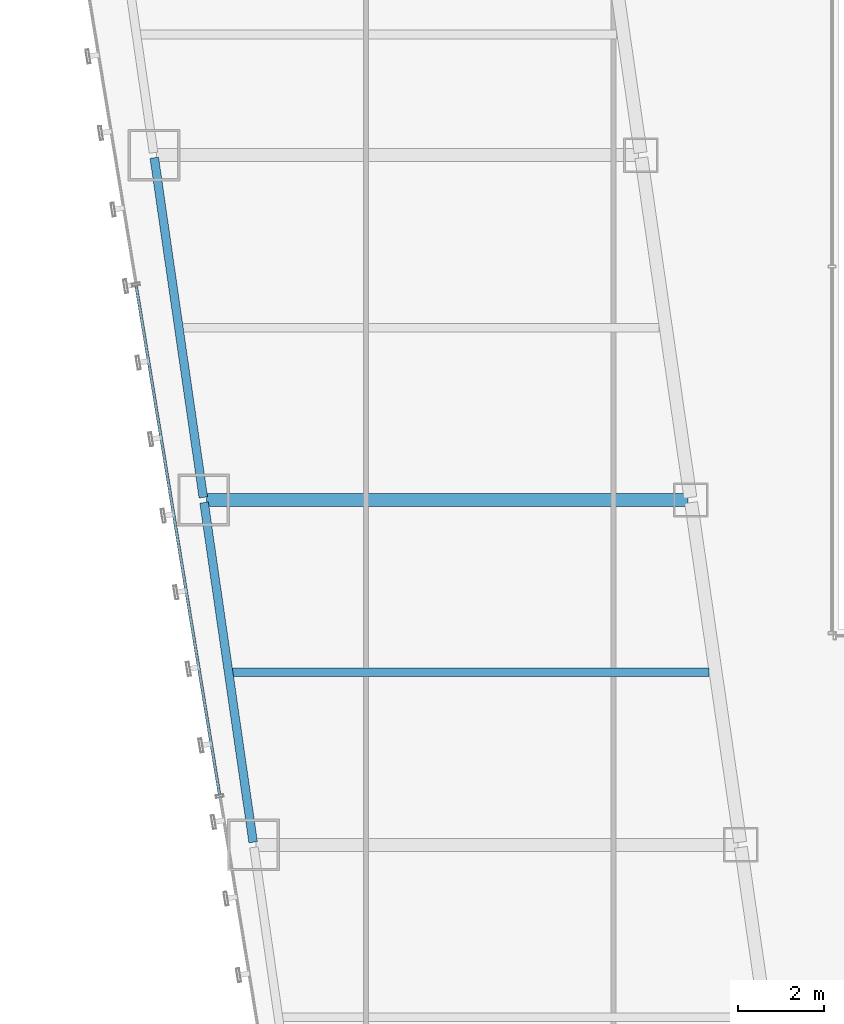
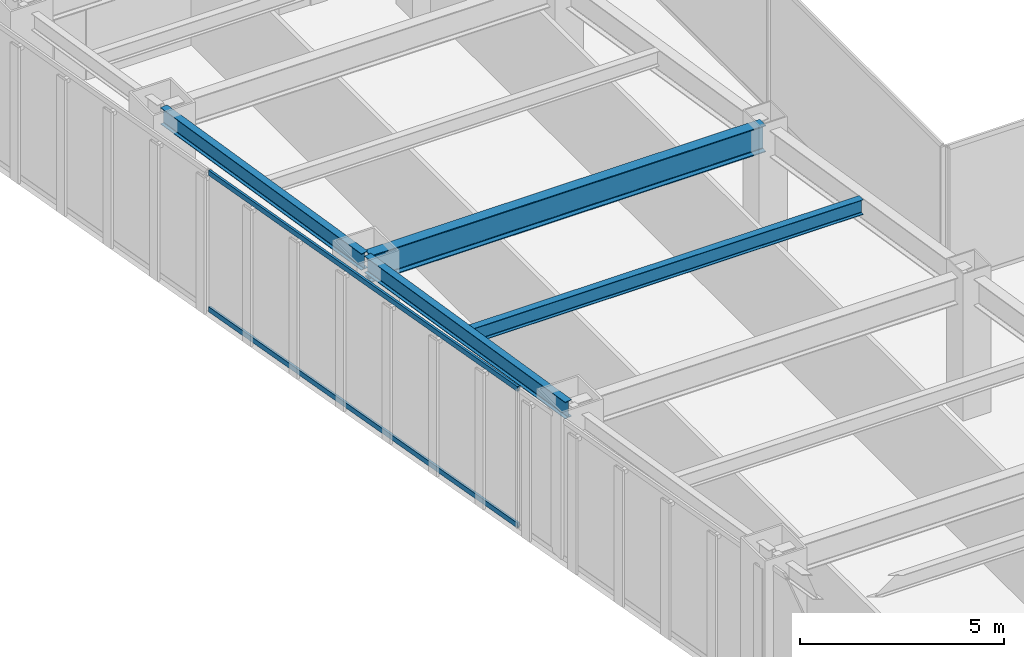
# One storey, part 10 of 47: 4 beams, 2 members, 1 element without a shape of its own.
"""IFC4 building model written with IfcOpenShell, lengths in metres."""

from ifc_helpers import new_model, si_unit, direction, frame, origin, origin_2d, place, context, subcontext, project, spatial, hollow_rectangle, i_section, extrude, material, material_profile, profile_set, type_object, element, aggregate, save


model = new_model("IFC4")

# Units and contexts
model_context = context("Model", 3, precision=1e-05, world=origin(), true_north=direction((0.0, 1.0)))
body_context = subcontext(model_context, "Body", "Model", "MODEL_VIEW")
ifc_project = project(units=[si_unit("LENGTHUNIT", "METRE"), si_unit("AREAUNIT", "SQUARE_METRE"), si_unit("VOLUMEUNIT", "CUBIC_METRE"), si_unit("PLANEANGLEUNIT", "RADIAN"), si_unit("MASSUNIT", "GRAM", prefix="KILO")], contexts=[model_context])

# Site, building, storey
site_placement = place(None, origin())
site = spatial("IfcSite", under=ifc_project, at=site_placement, CompositionType="ELEMENT")
building_placement = place(site_placement, origin())
building = spatial("IfcBuilding", under=site, at=building_placement, Name="Saevonmaru Cultural Tower", CompositionType="ELEMENT")
storey_placement = place(building_placement, frame((0.0, 0.0, 69.199951171875)))
storey = spatial("IfcBuildingStorey", under=building, at=storey_placement, Name="L14", CompositionType="ELEMENT", Elevation=69.199951171875)

# Beams
ifc_material_1 = material(Name="Steel SM420", Category="steel")
ifc_material_profile_1 = material_profile(ifc_material_1, i_section(OverallWidth=0.300048828125, OverallDepth=0.800048828125, WebThickness=0.013916015625, FlangeThickness=0.02587890625, FilletRadius=0.028076171875, at=origin_2d()), Name="H-800x300x14x26")
ifc_profile_set_1 = profile_set([ifc_material_profile_1], Name="Steel SM420")
beam_type_1 = type_object("IfcBeamType", Name="BM-G-H800", PredefinedType="BEAM", material=ifc_profile_set_1)
beam_1_placement = place(storey_placement, frame((9.531982421875, 24.0, 3.75), z_axis=(1.0, 0.0, 0.0), x_axis=(0.0, 1.0, 0.0)))
element("IfcBeam", 1, at=beam_1_placement, inside=storey, type_object=beam_type_1, Name="L14 West Wing Transverse Girder 4", PredefinedType="BEAM", context=body_context, shape_type="SweptSolid", body=[
    extrude(i_section(OverallWidth=0.300048828125, OverallDepth=0.800048828125, WebThickness=0.013916015625, FlangeThickness=0.02587890625, FilletRadius=0.028076171875, at=origin_2d()), origin(), (0.0, 0.0, 1.0), 11.179931640625),
])
ifc_material_2 = material(Name="Steel SM355", Category="steel")
ifc_material_profile_2 = material_profile(ifc_material_2, i_section(OverallWidth=0.199951171875, OverallDepth=0.449951171875, WebThickness=0.009033203125, FlangeThickness=0.013916015625, FilletRadius=0.01806640625, at=origin_2d()), Name="H-450x200x9x14")
ifc_profile_set_2 = profile_set([ifc_material_profile_2], Name="Steel SM355")
beam_type_2 = type_object("IfcBeamType", Name="BM-J-H450", PredefinedType="JOIST", material=ifc_profile_set_2)
beam_2_placement = place(storey_placement, frame((10.110107421875, 20.0, 3.925048828125), z_axis=(1.0, 0.0, 0.0), x_axis=(0.0, 1.0, 0.0)))
element("IfcBeam", 2, at=beam_2_placement, inside=storey, type_object=beam_type_2, Name="L14 West Wing Floor Joist 3", PredefinedType="JOIST", context=body_context, shape_type="SweptSolid", body=[
    extrude(i_section(OverallWidth=0.199951171875, OverallDepth=0.449951171875, WebThickness=0.009033203125, FlangeThickness=0.013916015625, FilletRadius=0.01806640625, at=origin_2d()), origin(), (0.0, 0.0, 1.0), 11.081787109375),
])
ifc_material_profile_3 = material_profile(ifc_material_2, i_section(OverallWidth=0.199951171875, OverallDepth=0.5, WebThickness=0.010009765625, FlangeThickness=0.01611328125, FilletRadius=0.02001953125, at=origin_2d()), Name="H-500x200x10x16")
ifc_profile_set_3 = profile_set([ifc_material_profile_3], Name="Steel SM355")
beam_type_3 = type_object("IfcBeamType", Name="BM-SP-H500", PredefinedType="SPANDREL", material=ifc_profile_set_3)
for number, where, z_axis, x_axis, name in (
    (3, (10.619384765625, 16.059326171875, 3.900146484375), (-0.142992129437, 0.989723825579, 0.0), (-0.989723825579, -0.142992129437, 0.0), "L14 West Splayed Spandrel 3"),
    (4, (9.46337890625, 24.059326171875, 3.900146484375), (-0.142871999001, 0.989741174197, 0.0), (-0.989741174197, -0.142871999001, 0.0), "L14 West Splayed Spandrel 4"),
):
    element("IfcBeam", number, at=place(storey_placement, frame(where, z_axis=z_axis, x_axis=x_axis)), inside=storey, type_object=beam_type_3, Name=name, PredefinedType="SPANDREL", context=body_context, shape_type="SweptSolid", body=[
        extrude(i_section(OverallWidth=0.199951171875, OverallDepth=0.5, WebThickness=0.010009765625, FlangeThickness=0.01611328125, FilletRadius=0.02001953125, at=origin_2d()), origin(), (0.0, 0.0, 1.0), 7.963134765625),
    ])

# Curtain wall, members
ifc_material_3 = material(Name="Satin Bronze Anodised Aluminium", Category="aluminium")
curtain_wall_type = type_object("IfcCurtainWallType", Name="CW-TYP-A", PredefinedType="NOTDEFINED", material=ifc_material_3)
curtain_wall_placement = place(storey_placement, origin())
curtain_wall = element("IfcCurtainWall", 5, at=curtain_wall_placement, inside=storey, type_object=curtain_wall_type, Name="L14 Unitised Curtain Wall E12", PredefinedType="NOTDEFINED")
ifc_material_profile_4 = material_profile(ifc_material_3, hollow_rectangle(XDim=0.06494140625, YDim=0.14990234375, WallThickness=0.00390625, at=origin_2d()), Name="ALU-TRAN-150x65x4")
ifc_profile_set_4 = profile_set([ifc_material_profile_4], Name="Satin Bronze Anodised Aluminium")
member_type = type_object("IfcMemberType", Name="TR-CW-150x65", PredefinedType="USERDEFINED", material=ifc_profile_set_4)
member_1_placement = place(storey_placement, frame((7.9052734375, 28.968017578125, 0.032470703125), z_axis=(0.161701400727, -0.986839732177, 0.0), x_axis=(0.986839732177, 0.161701400727, 0.0)))
member_1 = element("IfcMember", 6, at=member_1_placement, type_object=member_type, Name="CW-TW-L14-E12 transom 3.1", ObjectType="TRANSOM", PredefinedType="USERDEFINED", context=body_context, shape_type="SweptSolid", body=[
    extrude(hollow_rectangle(XDim=0.06494140625, YDim=0.14990234375, WallThickness=0.00390625, at=origin_2d()), origin(), (0.0, 0.0, 1.0), 11.9638671875),
])
member_2_placement = place(storey_placement, frame((7.9052734375, 28.968017578125, 4.117431640625), z_axis=(0.161701400727, -0.986839732177, 0.0), x_axis=(0.986839732177, 0.161701400727, 0.0)))
member_2 = element("IfcMember", 7, at=member_2_placement, type_object=member_type, Name="CW-TW-L14-E12 transom 3.2", ObjectType="TRANSOM", PredefinedType="USERDEFINED", context=body_context, shape_type="SweptSolid", body=[
    extrude(hollow_rectangle(XDim=0.06494140625, YDim=0.14990234375, WallThickness=0.00390625, at=origin_2d()), origin(), (0.0, 0.0, 1.0), 11.9638671875),
])
aggregate(curtain_wall, [member_1, member_2])

save(model, "model.ifc")
